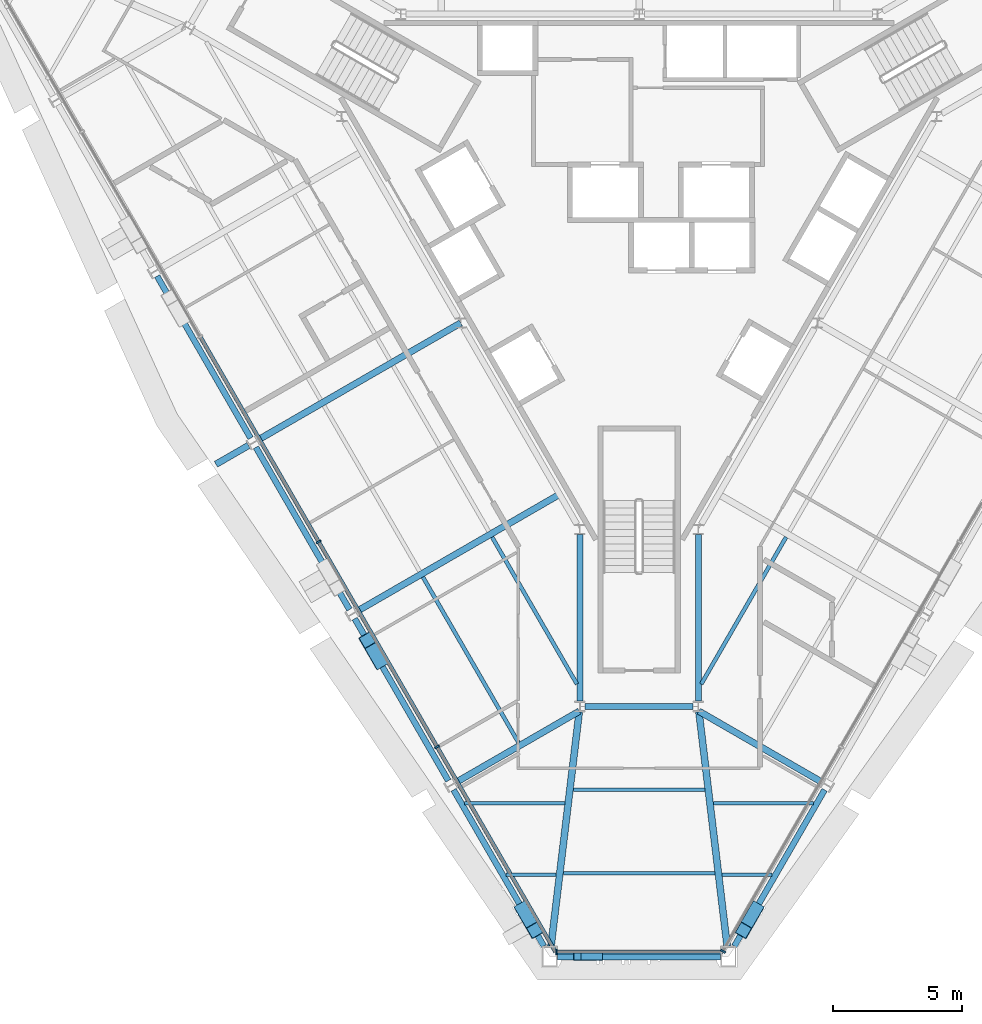
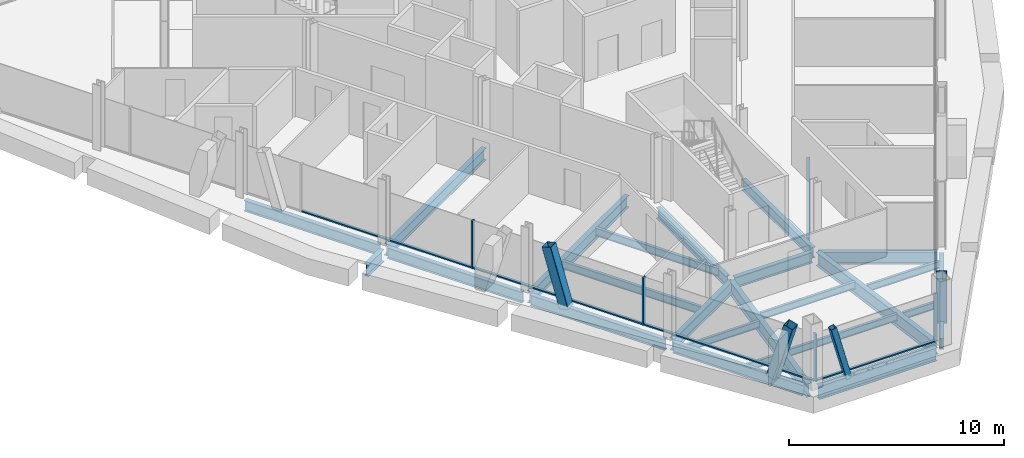
# One storey, part 2 of 13: 25 beams, 12 members, 3 elements without a shape of their own.
"""IFC4 building model written with IfcOpenShell, lengths in metres."""

from ifc_helpers import new_model, si_unit, direction, frame, origin, origin_2d, place, context, subcontext, project, spatial, rectangle, hollow_rectangle, i_section, extrude, material, material_profile, profile_set, type_object, element, aggregate, save


model = new_model("IFC4")

# Units and contexts
model_context = context("Model", 3, precision=1e-05, world=origin(), true_north=direction((0.0, 1.0)))
body_context = subcontext(model_context, "Body", "Model", "MODEL_VIEW")
ifc_project = project(units=[si_unit("LENGTHUNIT", "METRE"), si_unit("AREAUNIT", "SQUARE_METRE"), si_unit("VOLUMEUNIT", "CUBIC_METRE"), si_unit("PLANEANGLEUNIT", "RADIAN"), si_unit("MASSUNIT", "GRAM", prefix="KILO")], contexts=[model_context])

# Site, building, storey
site_placement = place(None, origin())
site = spatial("IfcSite", under=ifc_project, at=site_placement, CompositionType="ELEMENT")
building_placement = place(site_placement, origin())
building = spatial("IfcBuilding", under=site, at=building_placement, Name="Verrane Prism Tower", CompositionType="ELEMENT")
storey_placement = place(building_placement, frame((0.0, 0.0, 167.300048828125)))
storey = spatial("IfcBuildingStorey", under=building, at=storey_placement, Name="L41", CompositionType="ELEMENT", Elevation=167.300048828125)

# Member
ifc_material_1 = material(Name="Steel A500 Grade C", Category="steel")
ifc_material_profile_1 = material_profile(ifc_material_1, hollow_rectangle(XDim=0.3046875, YDim=0.3046875, WallThickness=0.0126953125, InnerFilletRadius=0.00634765625, OuterFilletRadius=0.01904296875, at=origin_2d()), Name="HSS12x12x1/2")
ifc_profile_set_1 = profile_set([ifc_material_profile_1], Name="Steel A500 Grade C")
member_type_1 = type_object("IfcMemberType", Name="Chamfer brace HSS12x12x1/2", PredefinedType="BRACE", material=ifc_profile_set_1)
member_1_placement = place(storey_placement, frame((-1.56640625, -28.610107421875, -0.24267578125), z_axis=(-0.258871345449, 0.0, 0.965911810936), x_axis=(0.0, -1.0, 0.0)))
element("IfcMember", 1, at=member_1_placement, inside=storey, type_object=member_type_1, Name="Chamfer brace S0 L41", PredefinedType="BRACE", context=body_context, shape_type="SweptSolid", body=[
    extrude(hollow_rectangle(XDim=0.3046875, YDim=0.3046875, WallThickness=0.0126953125, InnerFilletRadius=0.00634765625, OuterFilletRadius=0.01904296875, at=origin_2d()), origin(), (0.0, 0.0, 1.0), 3.2177734375),
])

# Beams
ifc_material_2 = material(Name="Steel A992", Category="steel")
ifc_material_profile_2 = material_profile(ifc_material_2, i_section(OverallWidth=0.2666015625, OverallDepth=0.7568359375, WebThickness=0.013916015625, FlangeThickness=0.019287109375, FilletRadius=0.0166015625, at=origin_2d()), Name="W30x108")
ifc_profile_set_2 = profile_set([ifc_material_profile_2], Name="Steel A992")
beam_type_1 = type_object("IfcBeamType", Name="Chamfer spandrel beam W30x108", PredefinedType="SPANDREL", material=ifc_profile_set_2)
beam_1_placement = place(storey_placement, frame((-3.169921875, -28.610107421875, -0.53857421875), z_axis=(1.0, 0.0, 0.0), x_axis=(0.0, 1.0, 0.0)))
element("IfcBeam", 2, at=beam_1_placement, inside=storey, type_object=beam_type_1, Name="Chamfer spandrel beam L41", PredefinedType="SPANDREL", context=body_context, shape_type="SweptSolid", body=[
    extrude(i_section(OverallWidth=0.2666015625, OverallDepth=0.7568359375, WebThickness=0.013916015625, FlangeThickness=0.019287109375, FilletRadius=0.0166015625, at=origin_2d()), origin(), (0.0, 0.0, 1.0), 6.33984375),
])
ifc_material_3 = material(Name="Steel A992", Category="steel")
ifc_material_profile_3 = material_profile(ifc_material_3, i_section(OverallWidth=0.23046875, OverallDepth=0.6171875, WebThickness=0.01318359375, FlangeThickness=0.022216796875, FilletRadius=0.012939453125, at=origin_2d()), Name="W24x94")
ifc_profile_set_3 = profile_set([ifc_material_profile_3], Name="Steel A992")
beam_type_2 = type_object("IfcBeamType", Name="Core ring girder W24x94", PredefinedType="BEAM", material=ifc_profile_set_3)
beam_2_placement = place(storey_placement, frame((-2.300048828125, -12.219482421875, -0.55859375), z_axis=(0.0, -1.0, 0.0), x_axis=(1.0, 0.0, 0.0)))
element("IfcBeam", 3, at=beam_2_placement, inside=storey, type_object=beam_type_2, Name="Core ring girder L41", PredefinedType="BEAM", context=body_context, shape_type="SweptSolid", body=[
    extrude(i_section(OverallWidth=0.23046875, OverallDepth=0.6171875, WebThickness=0.01318359375, FlangeThickness=0.022216796875, FilletRadius=0.012939453125, at=origin_2d()), origin(), (0.0, 0.0, 1.0), 6.47216796875),
])
beam_3_placement = place(storey_placement, frame((-2.0966796875, -18.89990234375, -0.55859375), z_axis=(1.0, 0.0, 0.0), x_axis=(0.0, 1.0, 0.0)))
element("IfcBeam", 4, at=beam_3_placement, inside=storey, type_object=beam_type_2, Name="Core ring girder L41", PredefinedType="BEAM", context=body_context, shape_type="SweptSolid", body=[
    extrude(i_section(OverallWidth=0.23046875, OverallDepth=0.6171875, WebThickness=0.01318359375, FlangeThickness=0.022216796875, FilletRadius=0.012939453125, at=origin_2d()), origin(), (0.0, 0.0, 1.0), 4.193359375),
])
beam_4_placement = place(storey_placement, frame((2.300048828125, -18.691650390625, -0.55859375), z_axis=(0.0, 1.0, 0.0), x_axis=(-1.0, 0.0, 0.0)))
element("IfcBeam", 5, at=beam_4_placement, inside=storey, type_object=beam_type_2, Name="Core ring girder L41", PredefinedType="BEAM", context=body_context, shape_type="SweptSolid", body=[
    extrude(i_section(OverallWidth=0.23046875, OverallDepth=0.6171875, WebThickness=0.01318359375, FlangeThickness=0.022216796875, FilletRadius=0.012939453125, at=origin_2d()), origin(), (0.0, 0.0, 1.0), 6.47216796875),
])
ifc_material_4 = material(Name="Steel A992", Category="steel")
ifc_material_profile_4 = material_profile(ifc_material_4, i_section(OverallWidth=0.2666015625, OverallDepth=0.76708984375, WebThickness=0.014892578125, FlangeThickness=0.023681640625, FilletRadius=0.0166015625, at=origin_2d()), Name="W30x124")
ifc_profile_set_4 = profile_set([ifc_material_profile_4], Name="Steel A992")
beam_type_3 = type_object("IfcBeamType", Name="Corner girder W30x124", PredefinedType="BEAM", material=ifc_profile_set_4)
for number, where, z_axis, x_axis, name in (
    (6, (-3.421875, -28.2099609375, -0.603515625), (0.119628268268, 0.992818753565, 0.0), (-0.992818753565, 0.119628268268, 0.0), "Corner girder L41"),
    (7, (3.421875, -28.2099609375, -0.603515625), (-0.119628268268, 0.992818753565, 0.0), (-0.992818753565, -0.119628268268, 0.0), "Corner girder L41"),
):
    element("IfcBeam", number, at=place(storey_placement, frame(where, z_axis=z_axis, x_axis=x_axis)), inside=storey, type_object=beam_type_3, Name=name, PredefinedType="BEAM", context=body_context, shape_type="SweptSolid", body=[
        extrude(i_section(OverallWidth=0.2666015625, OverallDepth=0.76708984375, WebThickness=0.014892578125, FlangeThickness=0.023681640625, FilletRadius=0.0166015625, at=origin_2d()), origin(), (0.0, 0.0, 1.0), 9.16748046875),
    ])

# Members
ifc_material_5 = material(Name="Steel A500 Grade C", Category="steel")
ifc_material_profile_5 = material_profile(ifc_material_5, hollow_rectangle(XDim=0.508056640625, YDim=0.508056640625, WallThickness=0.01904296875, InnerFilletRadius=0.009521484375, OuterFilletRadius=0.028564453125, at=origin_2d()), Name="HSS20x20x3/4")
ifc_profile_set_5 = profile_set([ifc_material_profile_5], Name="Steel A500 Grade C")
member_type_2 = type_object("IfcMemberType", Name="Facade brace HSS20x20x3/4", PredefinedType="BRACE", material=ifc_profile_set_5)
for number, where, z_axis, x_axis, name in (
    (8, (-10.090087890625, -17.145263671875, -0.216796875), (-0.142215487938, 0.246130924285, 0.958746224556), (-0.865855153672, -0.500294765972, 0.0), "Facade brace SW4 L41"),
    (9, (-4.52978515625, -26.774658203125, -0.216796875), (0.142143736486, -0.246133487031, 0.958756207145), (0.865966742331, 0.500101590855, 0.0), "Facade brace SW5 L41"),
    (10, (4.52978515625, -26.774658203125, -0.216796875), (-0.142143736486, -0.246133487031, 0.958756207145), (0.865966742331, -0.500101590855, 0.0), "Facade brace SE0 L41"),
):
    element("IfcMember", number, at=place(storey_placement, frame(where, z_axis=z_axis, x_axis=x_axis)), inside=storey, type_object=member_type_2, Name=name, PredefinedType="BRACE", context=body_context, shape_type="SweptSolid", body=[
        extrude(hollow_rectangle(XDim=0.508056640625, YDim=0.508056640625, WallThickness=0.01904296875, InnerFilletRadius=0.009521484375, OuterFilletRadius=0.028564453125, at=origin_2d()), origin(), (0.0, 0.0, 1.0), 3.333740234375),
    ])

# Beams
ifc_material_6 = material(Name="Steel A992", Category="steel")
ifc_material_profile_6 = material_profile(ifc_material_6, i_section(OverallWidth=0.140380859375, OverallDepth=0.40380859375, WebThickness=0.007080078125, FlangeThickness=0.01123046875, FilletRadius=0.01025390625, at=origin_2d()), Name="W16x31")
ifc_profile_set_6 = profile_set([ifc_material_profile_6], Name="Steel A992")
beam_type_4 = type_object("IfcBeamType", Name="Floor beam W16x31", PredefinedType="BEAM", material=ifc_profile_set_6)
beam_5_placement = place(storey_placement, frame((-5.171630859375, -25.433349609375, -0.362060546875), z_axis=(1.0, 0.0, 0.0), x_axis=(0.0, 1.0, 0.0)))
element("IfcBeam", 11, at=beam_5_placement, inside=storey, type_object=beam_type_4, Name="Floor beam L41", PredefinedType="BEAM", context=body_context, shape_type="SweptSolid", body=[
    extrude(i_section(OverallWidth=0.140380859375, OverallDepth=0.40380859375, WebThickness=0.007080078125, FlangeThickness=0.01123046875, FilletRadius=0.01025390625, at=origin_2d()), origin(), (0.0, 0.0, 1.0), 1.950439453125),
])
beam_6_placement = place(storey_placement, frame((-6.77490234375, -22.65673828125, -0.362060546875), z_axis=(1.0, 0.0, 0.0), x_axis=(0.0, 1.0, 0.0)))
element("IfcBeam", 12, at=beam_6_placement, inside=storey, type_object=beam_type_4, Name="Floor beam L41", PredefinedType="BEAM", context=body_context, shape_type="SweptSolid", body=[
    extrude(i_section(OverallWidth=0.140380859375, OverallDepth=0.40380859375, WebThickness=0.007080078125, FlangeThickness=0.01123046875, FilletRadius=0.01025390625, at=origin_2d()), origin(), (0.0, 0.0, 1.0), 3.888916015625),
])
beam_7_placement = place(storey_placement, frame((3.22119140625, -25.433349609375, -0.362060546875), z_axis=(1.0, 0.0, 0.0), x_axis=(0.0, 1.0, 0.0)))
element("IfcBeam", 13, at=beam_7_placement, inside=storey, type_object=beam_type_4, Name="Floor beam L41", PredefinedType="BEAM", context=body_context, shape_type="SweptSolid", body=[
    extrude(i_section(OverallWidth=0.140380859375, OverallDepth=0.40380859375, WebThickness=0.007080078125, FlangeThickness=0.01123046875, FilletRadius=0.01025390625, at=origin_2d()), origin(), (0.0, 0.0, 1.0), 1.950439453125),
])
beam_8_placement = place(storey_placement, frame((2.885986328125, -22.65673828125, -0.362060546875), z_axis=(1.0, 0.0, 0.0), x_axis=(0.0, 1.0, 0.0)))
element("IfcBeam", 14, at=beam_8_placement, inside=storey, type_object=beam_type_4, Name="Floor beam L41", PredefinedType="BEAM", context=body_context, shape_type="SweptSolid", body=[
    extrude(i_section(OverallWidth=0.140380859375, OverallDepth=0.40380859375, WebThickness=0.007080078125, FlangeThickness=0.01123046875, FilletRadius=0.01025390625, at=origin_2d()), origin(), (0.0, 0.0, 1.0), 3.888916015625),
])
beam_9_placement = place(storey_placement, frame((-2.945068359375, -25.373291015625, -0.362060546875), z_axis=(1.0, 0.0, 0.0), x_axis=(0.0, 1.0, 0.0)))
element("IfcBeam", 15, at=beam_9_placement, inside=storey, type_object=beam_type_4, Name="Floor beam L41", PredefinedType="BEAM", context=body_context, shape_type="SweptSolid", body=[
    extrude(i_section(OverallWidth=0.140380859375, OverallDepth=0.40380859375, WebThickness=0.007080078125, FlangeThickness=0.01123046875, FilletRadius=0.01025390625, at=origin_2d()), origin(), (0.0, 0.0, 1.0), 5.89013671875),
])
beam_10_placement = place(storey_placement, frame((-2.554443359375, -22.13671875, -0.362060546875), z_axis=(1.0, 0.0, 0.0), x_axis=(0.0, 1.0, 0.0)))
element("IfcBeam", 16, at=beam_10_placement, inside=storey, type_object=beam_type_4, Name="Floor beam L41", PredefinedType="BEAM", context=body_context, shape_type="SweptSolid", body=[
    extrude(i_section(OverallWidth=0.140380859375, OverallDepth=0.40380859375, WebThickness=0.007080078125, FlangeThickness=0.01123046875, FilletRadius=0.01025390625, at=origin_2d()), origin(), (0.0, 0.0, 1.0), 5.10888671875),
])
ifc_material_7 = material(Name="Steel A992", Category="steel")
ifc_material_profile_7 = material_profile(ifc_material_7, i_section(OverallWidth=0.15234375, OverallDepth=0.449462890625, WebThickness=0.007568359375, FlangeThickness=0.0107421875, FilletRadius=0.01025390625, at=origin_2d()), Name="W18x35")
ifc_profile_set_7 = profile_set([ifc_material_profile_7], Name="Steel A992")
beam_type_5 = type_object("IfcBeamType", Name="Floor beam W18x35", PredefinedType="BEAM", material=ifc_profile_set_7)
beam_11_placement = place(storey_placement, frame((-2.4150390625, -18.027099609375, -0.384765625), z_axis=(-0.49998322161, 0.866035090576, 0.0), x_axis=(-0.866035090576, -0.49998322161, 0.0)))
element("IfcBeam", 17, at=beam_11_placement, inside=storey, type_object=beam_type_5, Name="Floor beam L41", PredefinedType="BEAM", context=body_context, shape_type="SweptSolid", body=[
    extrude(i_section(OverallWidth=0.15234375, OverallDepth=0.449462890625, WebThickness=0.007568359375, FlangeThickness=0.0107421875, FilletRadius=0.01025390625, at=origin_2d()), origin(), (0.0, 0.0, 1.0), 6.591552734375),
])
beam_12_placement = place(storey_placement, frame((-4.686279296875, -20.299072265625, -0.384765625), z_axis=(-0.500022277658, 0.866012541391, 0.0), x_axis=(-0.866012541391, -0.500022277658, 0.0)))
element("IfcBeam", 18, at=beam_12_placement, inside=storey, type_object=beam_type_5, Name="Floor beam L41", PredefinedType="BEAM", context=body_context, shape_type="SweptSolid", body=[
    extrude(i_section(OverallWidth=0.15234375, OverallDepth=0.449462890625, WebThickness=0.007568359375, FlangeThickness=0.0107421875, FilletRadius=0.01025390625, at=origin_2d()), origin(), (0.0, 0.0, 1.0), 7.424560546875),
])
beam_13_placement = place(storey_placement, frame((2.4150390625, -18.027099609375, -0.384765625), z_axis=(0.49998322161, 0.866035090576, 0.0), x_axis=(-0.866035090576, 0.49998322161, 0.0)))
element("IfcBeam", 19, at=beam_13_placement, inside=storey, type_object=beam_type_5, Name="Floor beam L41", PredefinedType="BEAM", context=body_context, shape_type="SweptSolid", body=[
    extrude(i_section(OverallWidth=0.15234375, OverallDepth=0.449462890625, WebThickness=0.007568359375, FlangeThickness=0.0107421875, FilletRadius=0.01025390625, at=origin_2d()), origin(), (0.0, 0.0, 1.0), 6.591552734375),
])

# Curtain wall, members
ifc_material_8 = material(Name="Aluminium framed insulated glazing", Category="aluminium")
curtain_wall_type = type_object("IfcCurtainWallType", Name="Curtain wall CW-A 8400 module", PredefinedType="NOTDEFINED", material=ifc_material_8)
curtain_wall_1_placement = place(storey_placement, origin())
curtain_wall_1 = element("IfcCurtainWall", 20, at=curtain_wall_1_placement, inside=storey, type_object=curtain_wall_type, Name="Glazed curtain wall south-west face L41", PredefinedType="NOTDEFINED")
ifc_material_9 = material(Name="Aluminium alloy 6063-T6", Category="aluminium")
ifc_material_profile_8 = material_profile(ifc_material_9, rectangle(XDim=0.199951171875, YDim=0.070068359375, at=origin_2d()), Name="Mullion 70x200 aluminium")
ifc_profile_set_8 = profile_set([ifc_material_profile_8], Name="Aluminium alloy 6063-T6")
member_type_3 = type_object("IfcMemberType", Name="Mullion 70x200 aluminium", PredefinedType="MULLION", material=ifc_profile_set_8)
member_2_placement = place(storey_placement, frame((-12.448974609375, -12.5, 0.0), z_axis=(0.0, 0.0, 1.0), x_axis=(0.86602596468, 0.499999028499, 0.0)))
member_2 = element("IfcMember", 21, at=member_2_placement, type_object=member_type_3, Name="CW39.4 mullion 4", PredefinedType="MULLION", context=body_context, shape_type="SweptSolid", body=[
    extrude(rectangle(XDim=0.199951171875, YDim=0.070068359375, at=origin_2d()), origin(), (0.0, 0.0, 1.0), 2.712890625),
])
member_3_placement = place(storey_placement, frame((-7.84814453125, -20.46875, 0.0), z_axis=(0.0, 0.0, 1.0), x_axis=(0.86602596468, 0.499999028499, 0.0)))
member_3 = element("IfcMember", 22, at=member_3_placement, type_object=member_type_3, Name="CW39.4 mullion 5", PredefinedType="MULLION", context=body_context, shape_type="SweptSolid", body=[
    extrude(rectangle(XDim=0.199951171875, YDim=0.070068359375, at=origin_2d()), origin(), (0.0, 0.0, 1.0), 2.712890625),
])

# Curtain wall, member
curtain_wall_2_placement = place(storey_placement, origin())
curtain_wall_2 = element("IfcCurtainWall", 23, at=curtain_wall_2_placement, inside=storey, type_object=curtain_wall_type, Name="Glazed curtain wall south corner L41", PredefinedType="NOTDEFINED")
member_4_placement = place(storey_placement, frame((-3.21240234375, -28.4375, 0.0), z_axis=(0.0, 0.0, 1.0), x_axis=(0.0, 1.0, 0.0)))
member_4 = element("IfcMember", 24, at=member_4_placement, type_object=member_type_3, Name="CW39.5 mullion 1", PredefinedType="MULLION", context=body_context, shape_type="SweptSolid", body=[
    extrude(rectangle(XDim=0.199951171875, YDim=0.070068359375, at=origin_2d()), origin(), (0.0, 0.0, 1.0), 2.712890625),
])

curtain_wall_3_placement = place(storey_placement, origin())
curtain_wall_3 = element("IfcCurtainWall", 25, at=curtain_wall_3_placement, inside=storey, type_object=curtain_wall_type, Name="Glazed curtain wall south-east face L41", PredefinedType="NOTDEFINED")
member_5_placement = place(storey_placement, frame((3.264892578125, -28.4072265625, 0.0), z_axis=(0.0, 0.0, 1.0), x_axis=(-0.86602596468, 0.499999028499, 0.0)))
member_5 = element("IfcMember", 26, at=member_5_placement, type_object=member_type_3, Name="CW39.6 mullion 1", PredefinedType="MULLION", context=body_context, shape_type="SweptSolid", body=[
    extrude(rectangle(XDim=0.199951171875, YDim=0.070068359375, at=origin_2d()), origin(), (0.0, 0.0, 1.0), 2.712890625),
])
aggregate(curtain_wall_3, [member_5])

# Beams
ifc_material_10 = material(Name="Steel A992", Category="steel")
ifc_material_profile_9 = material_profile(ifc_material_10, i_section(OverallWidth=0.25390625, OverallDepth=0.683349609375, WebThickness=0.012451171875, FlangeThickness=0.01904296875, FilletRadius=0.01513671875, at=origin_2d()), Name="W27x94")
ifc_profile_set_9 = profile_set([ifc_material_profile_9], Name="Steel A992")
beam_type_6 = type_object("IfcBeamType", Name="Radial girder W27x94", PredefinedType="BEAM", material=ifc_profile_set_9)
beam_14_placement = place(storey_placement, frame((-14.802001953125, -8.54150390625, -0.561767578125), z_axis=(0.866020960005, 0.500007696773, 0.0), x_axis=(-0.500007696773, 0.866020960005, 0.0)))
element("IfcBeam", 27, at=beam_14_placement, inside=storey, type_object=beam_type_6, Name="Radial girder L41", PredefinedType="BEAM", context=body_context, shape_type="SweptSolid", body=[
    extrude(i_section(OverallWidth=0.25390625, OverallDepth=0.683349609375, WebThickness=0.012451171875, FlangeThickness=0.01904296875, FilletRadius=0.01513671875, at=origin_2d()), origin(), (0.0, 0.0, 1.0), 9.088134765625),
])
beam_15_placement = place(storey_placement, frame((-10.9619140625, -15.201416015625, -0.561767578125), z_axis=(0.866021925876, 0.500006023866, 0.0), x_axis=(-0.500006023866, 0.866021925876, 0.0)))
element("IfcBeam", 28, at=beam_15_placement, inside=storey, type_object=beam_type_6, Name="Radial girder L41", PredefinedType="BEAM", context=body_context, shape_type="SweptSolid", body=[
    extrude(i_section(OverallWidth=0.25390625, OverallDepth=0.683349609375, WebThickness=0.012451171875, FlangeThickness=0.01904296875, FilletRadius=0.01513671875, at=origin_2d()), origin(), (0.0, 0.0, 1.0), 9.09228515625),
])
for number, where, z_axis, x_axis, name in (
    (29, (-7.121826171875, -21.851318359375, -0.561767578125), (0.866030813765, 0.499990629522, 0.0), (-0.499990629522, 0.866030813765, 0.0), "Radial girder L41"),
    (30, (7.121826171875, -21.851318359375, -0.561767578125), (-0.866030813765, 0.499990629522, 0.0), (-0.499990629522, -0.866030813765, 0.0), "Radial girder L41"),
):
    element("IfcBeam", number, at=place(storey_placement, frame(where, z_axis=z_axis, x_axis=x_axis)), inside=storey, type_object=beam_type_6, Name=name, PredefinedType="BEAM", context=body_context, shape_type="SweptSolid", body=[
        extrude(i_section(OverallWidth=0.25390625, OverallDepth=0.683349609375, WebThickness=0.012451171875, FlangeThickness=0.01904296875, FilletRadius=0.01513671875, at=origin_2d()), origin(), (0.0, 0.0, 1.0), 5.54248046875),
    ])
beam_16_placement = place(storey_placement, frame((-15.174560546875, -8.756591796875, -0.561767578125), z_axis=(-0.866046596414, -0.499963291492, 0.0), x_axis=(0.499963291492, -0.866046596414, 0.0)))
element("IfcBeam", 31, at=beam_16_placement, inside=storey, type_object=beam_type_6, Name="Cantilever girder L41", PredefinedType="BEAM", context=body_context, shape_type="SweptSolid", body=[
    extrude(i_section(OverallWidth=0.25390625, OverallDepth=0.683349609375, WebThickness=0.012451171875, FlangeThickness=0.01904296875, FilletRadius=0.01513671875, at=origin_2d()), origin(), (0.0, 0.0, 1.0), 1.46240234375),
])
ifc_material_11 = material(Name="Steel A992", Category="steel")
ifc_material_profile_10 = material_profile(ifc_material_11, i_section(OverallWidth=0.23046875, OverallDepth=0.6171875, WebThickness=0.01318359375, FlangeThickness=0.022216796875, FilletRadius=0.012939453125, at=origin_2d()), Name="W24x94")
ifc_profile_set_10 = profile_set([ifc_material_profile_10], Name="Steel A992")
beam_type_7 = type_object("IfcBeamType", Name="Spandrel beam W24x94", PredefinedType="SPANDREL", material=ifc_profile_set_10)
beam_17_placement = place(storey_placement, frame((-18.72705078125, -2.17822265625, -0.46875), z_axis=(0.500052022334, -0.865995366592, 0.0), x_axis=(0.865995366592, 0.500052022334, 0.0)))
element("IfcBeam", 32, at=beam_17_placement, inside=storey, type_object=beam_type_7, Name="Spandrel beam L41", PredefinedType="SPANDREL", context=body_context, shape_type="SweptSolid", body=[
    extrude(i_section(OverallWidth=0.23046875, OverallDepth=0.6171875, WebThickness=0.01318359375, FlangeThickness=0.022216796875, FilletRadius=0.012939453125, at=origin_2d()), origin(), (0.0, 0.0, 1.0), 7.267333984375),
])
beam_18_placement = place(storey_placement, frame((-14.88720703125, -8.828125, -0.46875), z_axis=(0.499492001644, -0.866318498183, 0.0), x_axis=(0.866318498183, 0.499492001644, 0.0)))
element("IfcBeam", 33, at=beam_18_placement, inside=storey, type_object=beam_type_7, Name="Spandrel beam L41", PredefinedType="SPANDREL", context=body_context, shape_type="SweptSolid", body=[
    extrude(i_section(OverallWidth=0.23046875, OverallDepth=0.6171875, WebThickness=0.01318359375, FlangeThickness=0.022216796875, FilletRadius=0.012939453125, at=origin_2d()), origin(), (0.0, 0.0, 1.0), 7.2763671875),
])
beam_19_placement = place(storey_placement, frame((-11.047119140625, -15.48828125, -0.46875), z_axis=(0.50007721572, -0.865980818678, 0.0), x_axis=(0.865980818678, 0.50007721572, 0.0)))
element("IfcBeam", 34, at=beam_19_placement, inside=storey, type_object=beam_type_7, Name="Spandrel beam L41", PredefinedType="SPANDREL", context=body_context, shape_type="SweptSolid", body=[
    extrude(i_section(OverallWidth=0.23046875, OverallDepth=0.6171875, WebThickness=0.01318359375, FlangeThickness=0.022216796875, FilletRadius=0.012939453125, at=origin_2d()), origin(), (0.0, 0.0, 1.0), 7.267333984375),
])
for number, where, z_axis, x_axis, name in (
    (35, (-7.20703125, -22.13818359375, -0.46875), (0.5000600333, -0.865990740768, 0.0), (0.865990740768, 0.5000600333, 0.0), "Spandrel beam L41"),
    (36, (3.700927734375, -28.2099609375, -0.46875), (0.5000600333, 0.865990740768, 0.0), (-0.865990740768, 0.5000600333, 0.0), "Spandrel beam L41"),
):
    element("IfcBeam", number, at=place(storey_placement, frame(where, z_axis=z_axis, x_axis=x_axis)), inside=storey, type_object=beam_type_7, Name=name, PredefinedType="SPANDREL", context=body_context, shape_type="SweptSolid", body=[
        extrude(i_section(OverallWidth=0.23046875, OverallDepth=0.6171875, WebThickness=0.01318359375, FlangeThickness=0.022216796875, FilletRadius=0.012939453125, at=origin_2d()), origin(), (0.0, 0.0, 1.0), 7.011474609375),
    ])

# Member
ifc_material_12 = material(Name="Aluminium alloy 6063-T6", Category="aluminium")
ifc_material_profile_11 = material_profile(ifc_material_12, rectangle(XDim=0.14990234375, YDim=0.070068359375, at=origin_2d()), Name="Transom 70x150 aluminium")
ifc_profile_set_11 = profile_set([ifc_material_profile_11], Name="Aluminium alloy 6063-T6")
member_type_4 = type_object("IfcMemberType", Name="Transom 70x150 aluminium", PredefinedType="USERDEFINED", material=ifc_profile_set_11)
member_6_placement = place(storey_placement, frame((-17.0322265625, -4.561279296875, 0.034912109375), z_axis=(0.499997849104, -0.866026645601, 0.0), x_axis=(0.866026645601, 0.499997849104, 0.0)))
member_6 = element("IfcMember", 37, at=member_6_placement, type_object=member_type_4, Name="CW39.4 transom 3", ObjectType="TRANSOM", PredefinedType="USERDEFINED", context=body_context, shape_type="SweptSolid", body=[
    extrude(rectangle(XDim=0.14990234375, YDim=0.070068359375, at=origin_2d()), origin(), (0.0, 0.0, 1.0), 9.1318359375),
])

member_7_placement = place(storey_placement, frame((-12.431396484375, -12.5302734375, 0.034912109375), z_axis=(0.500009425886, -0.866019961678, 0.0), x_axis=(0.866019961678, 0.500009425886, 0.0)))
member_7 = element("IfcMember", 38, at=member_7_placement, type_object=member_type_4, Name="CW39.4 transom 4", ObjectType="TRANSOM", PredefinedType="USERDEFINED", context=body_context, shape_type="SweptSolid", body=[
    extrude(rectangle(XDim=0.14990234375, YDim=0.070068359375, at=origin_2d()), origin(), (0.0, 0.0, 1.0), 9.131591796875),
])

member_8_placement = place(storey_placement, frame((-7.83056640625, -20.4990234375, 0.034912109375), z_axis=(0.499997575924, -0.866026803321, 0.0), x_axis=(0.866026803321, 0.499997575924, 0.0)))
member_8 = element("IfcMember", 39, at=member_8_placement, type_object=member_type_4, Name="CW39.4 transom 5", ObjectType="TRANSOM", PredefinedType="USERDEFINED", context=body_context, shape_type="SweptSolid", body=[
    extrude(rectangle(XDim=0.14990234375, YDim=0.070068359375, at=origin_2d()), origin(), (0.0, 0.0, 1.0), 9.16650390625),
])

aggregate(curtain_wall_1, [member_2, member_3, member_6, member_7, member_8])

member_9_placement = place(storey_placement, frame((-3.17724609375, -28.4375, 0.034912109375), z_axis=(1.0, 0.0, 0.0), x_axis=(0.0, 1.0, 0.0)))
member_9 = element("IfcMember", 40, at=member_9_placement, type_object=member_type_4, Name="CW39.5 transom 1", ObjectType="TRANSOM", PredefinedType="USERDEFINED", context=body_context, shape_type="SweptSolid", body=[
    extrude(rectangle(XDim=0.14990234375, YDim=0.070068359375, at=origin_2d()), origin(), (0.0, 0.0, 1.0), 6.424560546875),
])

aggregate(curtain_wall_2, [member_4, member_9])

save(model, "model.ifc")
